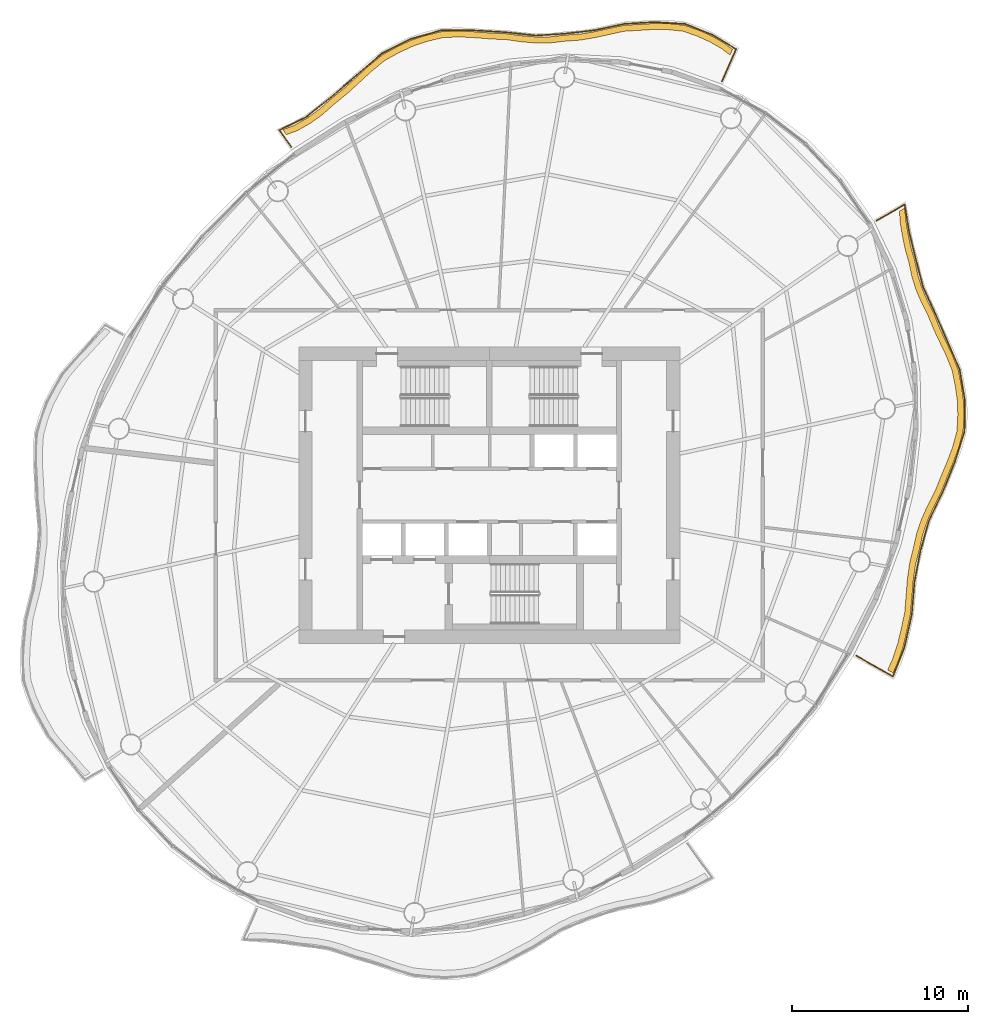
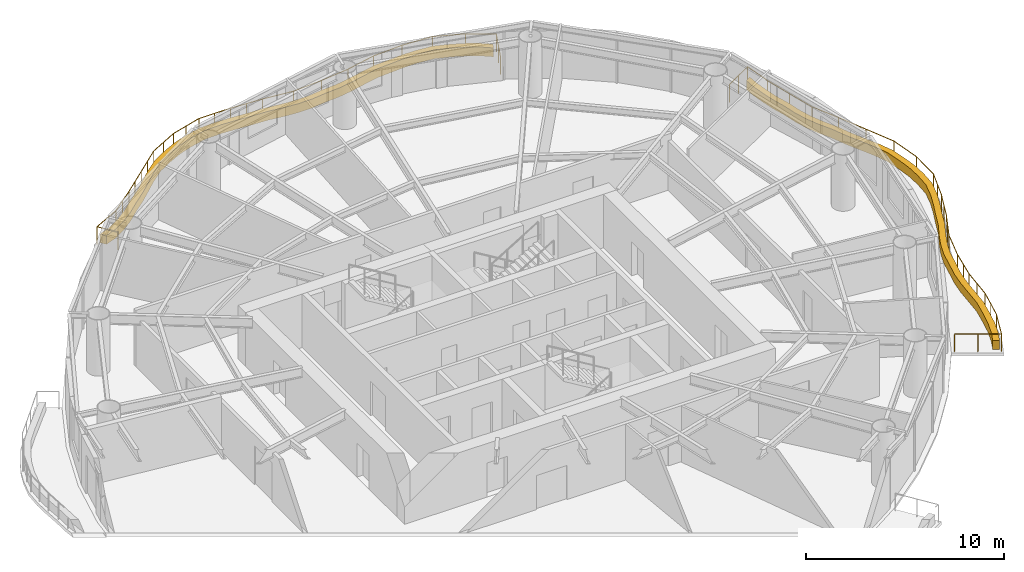
# One storey, part 14 of 14: 2 coverings, 2 railings.
"""IFC4 building model written with IfcOpenShell, lengths in metres."""

from ifc_helpers import new_model, si_unit, direction, frame, origin, origin_2d, place, context, subcontext, project, spatial, polyline, circle, outline, extrude, material, type_object, element, save


model = new_model("IFC4")

# Units and contexts
model_context = context("Model", 3, precision=1e-05, world=origin(), true_north=direction((0.0, 1.0)))
body_context = subcontext(model_context, "Body", "Model", "MODEL_VIEW")
ifc_project = project(units=[si_unit("LENGTHUNIT", "METRE"), si_unit("AREAUNIT", "SQUARE_METRE"), si_unit("VOLUMEUNIT", "CUBIC_METRE"), si_unit("PLANEANGLEUNIT", "RADIAN"), si_unit("MASSUNIT", "GRAM", prefix="KILO")], contexts=[model_context])

# Site, building, storey
site_placement = place(None, origin())
site = spatial("IfcSite", under=ifc_project, at=site_placement, CompositionType="ELEMENT")
building_placement = place(site_placement, origin())
building = spatial("IfcBuilding", under=site, at=building_placement, Name="Vermilion Reach Broadcast Tower", CompositionType="ELEMENT")
storey_placement = place(building_placement, frame((0.0, 0.0, 224.5)))
storey = spatial("IfcBuildingStorey", under=building, at=storey_placement, Name="L55", CompositionType="ELEMENT", Elevation=224.5)

# Coverings
ifc_material_1 = material(Name="Planting soil and greenery")
covering_type = type_object("IfcCoveringType", Name="Balcony PLANTER", PredefinedType="USERDEFINED", material=ifc_material_1)
placement = place(storey_placement, origin())
element("IfcCovering", 1, at=placement, inside=storey, type_object=covering_type, Name="PLANTER L55 group 1", ObjectType="PLANTER", PredefinedType="USERDEFINED", context=body_context, shape_type="SweptSolid", body=[
    extrude(outline(polyline([(7.79345703125, 25.2763671875), (7.2861328125, 25.6513671875), (6.62939453125, 26.025634765625), (5.95068359375, 26.338134765625), (5.076416015625, 26.64404296875), (4.13671875, 26.74560546875), (3.363037109375, 26.747802734375), (2.579833984375, 26.7001953125), (1.66552734375, 26.648681640625), (0.748291015625, 26.45751953125), (-0.0400390625, 26.2822265625), (-0.826171875, 26.153076171875), (-1.681884765625, 26.093505859375), (-2.548828125, 25.993408203125), (-3.350341796875, 25.98388671875), (-4.158447265625, 26.051025390625), (-5.064453125, 26.170654296875), (-6.0078125, 26.21044921875), (-6.862060546875, 26.2783203125), (-7.71142578125, 26.323486328125), (-8.68896484375, 26.2880859375), (-9.6494140625, 26.058349609375), (-10.445556640625, 25.790771484375), (-11.211181640625, 25.43603515625), (-12.071533203125, 24.962646484375), (-12.857666015625, 24.326171875), (-13.514892578125, 23.71875), (-14.17431640625, 23.115966796875), (-14.914794921875, 22.518310546875), (-15.630859375, 21.890625), (-16.33740234375, 21.37890625), (-17.097412109375, 20.951416015625), (-17.711669921875, 20.727294921875), (-17.508056640625, 20.442626953125), (-16.90966796875, 20.65625), (-16.149658203125, 21.083740234375), (-15.443115234375, 21.595458984375), (-14.743896484375, 22.212890625), (-14.02099609375, 22.80126953125), (-13.361572265625, 23.404052734375), (-12.704345703125, 24.011474609375), (-11.936767578125, 24.6396484375), (-11.095458984375, 25.105712890625), (-10.329833984375, 25.460205078125), (-9.533935546875, 25.72802734375), (-8.59375, 25.951416015625), (-7.63671875, 25.9814453125), (-6.787353515625, 25.936279296875), (-5.93310546875, 25.868408203125), (-5.01220703125, 25.82470703125), (-4.12841796875, 25.702392578125), (-3.3203125, 25.63525390625), (-2.5185546875, 25.644775390625), (-1.67529296875, 25.74365234375), (-0.84326171875, 25.8037109375), (-0.05712890625, 25.9326171875), (0.731201171875, 26.10791015625), (1.62353515625, 26.30126953125), (2.513427734375, 26.356689453125), (3.296630859375, 26.404296875), (4.070068359375, 26.40185546875), (4.984619140625, 26.306396484375), (5.833740234375, 26.00830078125), (6.512451171875, 25.695556640625), (7.169189453125, 25.3212890625), (7.6513671875, 24.956298828125), (7.79345703125, 25.2763671875)])), origin(), (0.0, 0.0, 1.0), 0.550048828125),
])
element("IfcCovering", 2, at=placement, inside=storey, type_object=covering_type, Name="PLANTER L55 group 4", ObjectType="PLANTER", PredefinedType="USERDEFINED", context=body_context, shape_type="SweptSolid", body=[
    extrude(outline(polyline([(16.8916015625, -10.07958984375), (17.18115234375, -9.43603515625), (17.459228515625, -8.601806640625), (17.667236328125, -7.732666015625), (17.8779296875, -6.74853515625), (17.962158203125, -5.75634765625), (18.031982421875, -4.869873046875), (18.154052734375, -4.00244140625), (18.37353515625, -3.10400390625), (18.5732421875, -2.22412109375), (18.848388671875, -1.42626953125), (19.201904296875, -0.646728515625), (19.634765625, 0.2099609375), (19.97998046875, 1.09130859375), (20.3115234375, 1.8798828125), (20.609375, 2.67236328125), (20.86376953125, 3.623046875), (20.91357421875, 4.576416015625), (20.8828125, 5.37548828125), (20.770263671875, 6.173095703125), (20.58544921875, 7.11572265625), (20.23388671875, 7.997802734375), (19.882568359375, 8.7314453125), (19.534912109375, 9.4658203125), (19.203369140625, 10.295166015625), (18.81591796875, 11.067138671875), (18.518798828125, 11.771240234375), (18.293701171875, 12.496826171875), (18.11669921875, 13.325439453125), (17.882080078125, 14.131591796875), (17.730224609375, 14.88330078125), (17.606201171875, 15.648681640625), (17.556396484375, 16.279541015625), (17.253173828125, 16.10498046875), (17.290283203125, 15.498046875), (17.414306640625, 14.732666015625), (17.566162109375, 13.980712890625), (17.79052734375, 13.19873046875), (17.958984375, 12.394775390625), (18.18408203125, 11.6689453125), (18.48095703125, 10.965087890625), (18.8623046875, 10.21728515625), (19.18896484375, 9.412109375), (19.53662109375, 8.677978515625), (19.88818359375, 7.944091796875), (20.23681640625, 7.085693359375), (20.42041015625, 6.16650390625), (20.532958984375, 5.369140625), (20.563720703125, 4.570068359375), (20.513916015625, 3.63916015625), (20.261474609375, 2.710693359375), (19.9638671875, 1.918212890625), (19.632080078125, 1.129638671875), (19.289794921875, 0.26953125), (18.861328125, -0.56640625), (18.5078125, -1.345703125), (18.232666015625, -2.1435546875), (18.038330078125, -3.003662109375), (17.8251953125, -3.8828125), (17.703125, -4.750244140625), (17.633056640625, -5.63671875), (17.55615234375, -6.610595703125), (17.35400390625, -7.576904296875), (17.145751953125, -8.44580078125), (16.867919921875, -9.280029296875), (16.58740234375, -9.90673828125), (16.8916015625, -10.07958984375)])), origin(), (0.0, 0.0, 1.0), 0.550048828125),
])

# Railings
ifc_material_2 = material(Name="Stainless steel 316 balustrade", Category="steel")
railing_type = type_object("IfcRailingType", Name="Balcony guard 1100", PredefinedType="BALUSTRADE", material=ifc_material_2)
railing_1_placement = place(storey_placement, frame((7.187255859375, 23.4677734375, 0.0)))
element("IfcRailing", 3, at=railing_1_placement, inside=storey, type_object=railing_type, Name="Balcony guard L55 group 1", PredefinedType="BALUSTRADE", context=body_context, shape_type="SweptSolid", body=[
    extrude(circle(Radius=0.02490234375, at=origin_2d()), frame((0.0, 0.0, 1.0751953125), z_axis=(0.405626896286, 0.914038741525, 0.0), x_axis=(-0.914038741525, 0.405626896286, 0.0)), (0.0, 0.0, 1.0), 1.992919921875),
    extrude(circle(Radius=0.02490234375, at=origin_2d()), frame((0.808349609375, 1.821533203125, 1.0751953125), z_axis=(-0.855298313888, 0.518135883973, 0.0), x_axis=(-0.518135883973, -0.855298313888, 0.0)), (0.0, 0.0, 1.0), 1.566162109375),
    extrude(circle(Radius=0.02490234375, at=origin_2d()), frame((-0.53125, 2.633056640625, 1.0751953125), z_axis=(-0.929107677927, 0.369809306017, 0.0), x_axis=(-0.369809306017, -0.929107677927, 0.0)), (0.0, 0.0, 1.0), 1.677490234375),
    extrude(circle(Radius=0.02490234375, at=origin_2d()), frame((-2.08984375, 3.25341796875, 1.0751953125), z_axis=(-0.998131739357, 0.061098534251, 0.0), x_axis=(-0.061098534251, -0.998131739357, 0.0)), (0.0, 0.0, 1.0), 1.72216796875),
    extrude(circle(Radius=0.02490234375, at=origin_2d()), frame((-3.808837890625, 3.358642578125, 1.0751953125), z_axis=(-0.998335983656, -0.057665099816, 0.0), x_axis=(0.057665099816, -0.998335983656, 0.0)), (0.0, 0.0, 1.0), 1.706298828125),
    extrude(circle(Radius=0.02490234375, at=origin_2d()), frame((-5.51220703125, 3.26025390625, 1.0751953125), z_axis=(-0.977886047216, -0.209138419857, 0.0), x_axis=(0.209138419857, -0.977886047216, 0.0)), (0.0, 0.0, 1.0), 1.75),
    extrude(circle(Radius=0.02490234375, at=origin_2d()), frame((-7.223388671875, 2.894287109375, 1.0751953125), z_axis=(-0.993517475684, -0.113679485879, 0.0), x_axis=(0.113679485879, -0.993517475684, 0.0)), (0.0, 0.0, 1.0), 1.657958984375),
    extrude(circle(Radius=0.02490234375, at=origin_2d()), frame((-8.87060546875, 2.705810546875, 1.0751953125), z_axis=(-0.997852896663, -0.065495012179, 0.0), x_axis=(0.065495012179, -0.997852896663, 0.0)), (0.0, 0.0, 1.0), 1.677490234375),
    extrude(circle(Radius=0.02490234375, at=origin_2d()), frame((-10.54443359375, 2.595947265625, 1.0751953125), z_axis=(-0.99419807502, 0.10756480664, 0.0), x_axis=(-0.10756480664, -0.99419807502, 0.0)), (0.0, 0.0, 1.0), 1.7294921875),
    extrude(circle(Radius=0.02490234375, at=origin_2d()), frame((-12.263916015625, 2.781982421875, 1.0751953125), z_axis=(-0.998252859545, 0.059086617855, 0.0), x_axis=(-0.059086617855, -0.998252859545, 0.0)), (0.0, 0.0, 1.0), 1.8056640625),
    extrude(circle(Radius=0.02490234375, at=origin_2d()), frame((-14.06640625, 2.888671875, 1.0751953125), z_axis=(-0.999989119995, 0.004664749993, 0.0), x_axis=(-0.004664749993, -0.999989119995, 0.0)), (0.0, 0.0, 1.0), 1.831787109375),
    extrude(circle(Radius=0.02490234375, at=origin_2d()), frame((-15.898193359375, 2.897216796875, 1.0751953125), z_axis=(-0.962150629444, -0.272518194365, 0.0), x_axis=(0.272518194365, -0.962150629444, 0.0)), (0.0, 0.0, 1.0), 1.830322265625),
    extrude(circle(Radius=0.02490234375, at=origin_2d()), frame((-17.6591796875, 2.3984375, 1.0751953125), z_axis=(-0.891255318361, -0.453501882568, 0.0), x_axis=(0.453501882568, -0.891255318361, 0.0)), (0.0, 0.0, 1.0), 1.829345703125),
    extrude(circle(Radius=0.02490234375, at=origin_2d()), frame((-19.28955078125, 1.56884765625, 1.0751953125), z_axis=(-0.757919754319, -0.652347795285, 0.0), x_axis=(0.652347795285, -0.757919754319, 0.0)), (0.0, 0.0, 1.0), 1.91015625),
    extrude(circle(Radius=0.02490234375, at=origin_2d()), frame((-20.7373046875, 0.32275390625, 1.0751953125), z_axis=(-0.759489645117, -0.650519391687, 0.0), x_axis=(0.650519391687, -0.759489645117, 0.0)), (0.0, 0.0, 1.0), 1.848388671875),
    extrude(circle(Radius=0.02490234375, at=origin_2d()), frame((-22.14111328125, -0.879638671875, 1.0751953125), z_axis=(-0.780764506729, -0.624825403639, 0.0), x_axis=(0.624825403639, -0.780764506729, 0.0)), (0.0, 0.0, 1.0), 1.8271484375),
    extrude(circle(Radius=0.02490234375, at=origin_2d()), frame((-23.567626953125, -2.021240234375, 1.0751953125), z_axis=(-0.897726337717, -0.440553541092, 0.0), x_axis=(0.440553541092, -0.897726337717, 0.0)), (0.0, 0.0, 1.0), 1.7041015625),
    extrude(circle(Radius=0.02490234375, at=origin_2d()), frame((-25.097412109375, -2.77197265625, 1.0751953125), z_axis=(0.58204759063, -0.813154722204, 0.0), x_axis=(0.813154722204, 0.58204759063, 0.0)), (0.0, 0.0, 1.0), 1.16943359375),
    extrude(circle(Radius=0.02490234375, at=origin_2d()), origin(), (0.0, 0.0, 1.0), 1.050048828125),
    extrude(circle(Radius=0.02490234375, at=origin_2d()), frame((0.404296875, 0.91064453125, 0.0)), (0.0, 0.0, 1.0), 1.050048828125),
    extrude(circle(Radius=0.02490234375, at=origin_2d()), frame((0.808349609375, 1.821533203125, 0.0)), (0.0, 0.0, 1.0), 1.050048828125),
    extrude(circle(Radius=0.02490234375, at=origin_2d()), frame((-0.53125, 2.633056640625, 0.0)), (0.0, 0.0, 1.0), 1.050048828125),
    extrude(circle(Radius=0.02490234375, at=origin_2d()), frame((-2.08984375, 3.25341796875, 0.0)), (0.0, 0.0, 1.0), 1.050048828125),
    extrude(circle(Radius=0.02490234375, at=origin_2d()), frame((-3.808837890625, 3.358642578125, 0.0)), (0.0, 0.0, 1.0), 1.050048828125),
    extrude(circle(Radius=0.02490234375, at=origin_2d()), frame((-5.51220703125, 3.26025390625, 0.0)), (0.0, 0.0, 1.0), 1.050048828125),
    extrude(circle(Radius=0.02490234375, at=origin_2d()), frame((-7.223388671875, 2.894287109375, 0.0)), (0.0, 0.0, 1.0), 1.050048828125),
    extrude(circle(Radius=0.02490234375, at=origin_2d()), frame((-8.87060546875, 2.705810546875, 0.0)), (0.0, 0.0, 1.0), 1.050048828125),
    extrude(circle(Radius=0.02490234375, at=origin_2d()), frame((-10.54443359375, 2.595947265625, 0.0)), (0.0, 0.0, 1.0), 1.050048828125),
    extrude(circle(Radius=0.02490234375, at=origin_2d()), frame((-12.263916015625, 2.781982421875, 0.0)), (0.0, 0.0, 1.0), 1.050048828125),
    extrude(circle(Radius=0.02490234375, at=origin_2d()), frame((-13.1650390625, 2.83544921875, 0.0)), (0.0, 0.0, 1.0), 1.050048828125),
    extrude(circle(Radius=0.02490234375, at=origin_2d()), frame((-14.06640625, 2.888671875, 0.0)), (0.0, 0.0, 1.0), 1.050048828125),
    extrude(circle(Radius=0.02490234375, at=origin_2d()), frame((-14.982421875, 2.89306640625, 0.0)), (0.0, 0.0, 1.0), 1.050048828125),
    extrude(circle(Radius=0.02490234375, at=origin_2d()), frame((-15.898193359375, 2.897216796875, 0.0)), (0.0, 0.0, 1.0), 1.050048828125),
    extrude(circle(Radius=0.02490234375, at=origin_2d()), frame((-16.77880859375, 2.64794921875, 0.0)), (0.0, 0.0, 1.0), 1.050048828125),
    extrude(circle(Radius=0.02490234375, at=origin_2d()), frame((-17.6591796875, 2.3984375, 0.0)), (0.0, 0.0, 1.0), 1.050048828125),
    extrude(circle(Radius=0.02490234375, at=origin_2d()), frame((-18.474365234375, 1.983642578125, 0.0)), (0.0, 0.0, 1.0), 1.050048828125),
    extrude(circle(Radius=0.02490234375, at=origin_2d()), frame((-19.28955078125, 1.56884765625, 0.0)), (0.0, 0.0, 1.0), 1.050048828125),
    extrude(circle(Radius=0.02490234375, at=origin_2d()), frame((-20.013427734375, 0.94580078125, 0.0)), (0.0, 0.0, 1.0), 1.050048828125),
    extrude(circle(Radius=0.02490234375, at=origin_2d()), frame((-20.7373046875, 0.32275390625, 0.0)), (0.0, 0.0, 1.0), 1.050048828125),
    extrude(circle(Radius=0.02490234375, at=origin_2d()), frame((-21.439208984375, -0.2783203125, 0.0)), (0.0, 0.0, 1.0), 1.050048828125),
    extrude(circle(Radius=0.02490234375, at=origin_2d()), frame((-22.14111328125, -0.879638671875, 0.0)), (0.0, 0.0, 1.0), 1.050048828125),
    extrude(circle(Radius=0.02490234375, at=origin_2d()), frame((-22.8544921875, -1.450439453125, 0.0)), (0.0, 0.0, 1.0), 1.050048828125),
    extrude(circle(Radius=0.02490234375, at=origin_2d()), frame((-23.567626953125, -2.021240234375, 0.0)), (0.0, 0.0, 1.0), 1.050048828125),
    extrude(circle(Radius=0.02490234375, at=origin_2d()), frame((-25.097412109375, -2.77197265625, 0.0)), (0.0, 0.0, 1.0), 1.050048828125),
    extrude(circle(Radius=0.02490234375, at=origin_2d()), frame((-24.416748046875, -3.722900390625, 0.0)), (0.0, 0.0, 1.0), 1.050048828125),
])
railing_2_placement = place(storey_placement, frame((14.810302734375, -9.10400390625, 0.0)))
element("IfcRailing", 4, at=railing_2_placement, inside=storey, type_object=railing_type, Name="Balcony guard L55 group 4", PredefinedType="BALUSTRADE", context=body_context, shape_type="SweptSolid", body=[
    extrude(circle(Radius=0.02490234375, at=origin_2d()), frame((0.0, 0.0, 1.0751953125), z_axis=(0.869514592678, -0.493907251536, 0.0), x_axis=(0.493907251536, 0.869514592678, 0.0)), (0.0, 0.0, 1.0), 2.381591796875),
    extrude(circle(Radius=0.02490234375, at=origin_2d()), frame((2.07080078125, -1.17626953125, 1.0751953125), z_axis=(0.367742271502, 0.929927750823, 0.0), x_axis=(-0.929927750823, 0.367742271502, 0.0)), (0.0, 0.0, 1.0), 1.7666015625),
    extrude(circle(Radius=0.02490234375, at=origin_2d()), frame((2.720458984375, 0.466552734375, 1.0751953125), z_axis=(0.220878570899, 0.975301315962, 0.0), x_axis=(-0.975301315962, 0.220878570899, 0.0)), (0.0, 0.0, 1.0), 1.904541015625),
    extrude(circle(Radius=0.02490234375, at=origin_2d()), frame((3.14111328125, 2.323974609375, 1.0751953125), z_axis=(0.082446566439, 0.996595486485, 0.0), x_axis=(-0.996595486485, 0.082446566439, 0.0)), (0.0, 0.0, 1.0), 1.88916015625),
    extrude(circle(Radius=0.02490234375, at=origin_2d()), frame((3.296875, 4.206787109375, 1.0751953125), z_axis=(0.190228184286, 0.981739903387, 0.0), x_axis=(-0.981739903387, 0.190228184286, 0.0)), (0.0, 0.0, 1.0), 1.80322265625),
    extrude(circle(Radius=0.02490234375, at=origin_2d()), frame((3.639892578125, 5.97705078125, 1.0751953125), z_axis=(0.272285877317, 0.962216400304, 0.0), x_axis=(-0.962216400304, 0.272285877317, 0.0)), (0.0, 0.0, 1.0), 1.74853515625),
    extrude(circle(Radius=0.02490234375, at=origin_2d()), frame((4.115966796875, 7.659423828125, 1.0751953125), z_axis=(0.432561002335, 0.901604669053, 0.0), x_axis=(-0.901604669053, 0.432561002335, 0.0)), (0.0, 0.0, 1.0), 1.8203125),
    extrude(circle(Radius=0.02490234375, at=origin_2d()), frame((4.9033203125, 9.300537109375, 1.0751953125), z_axis=(0.375046212431, 0.927006115698, 0.0), x_axis=(-0.927006115698, 0.375046212431, 0.0)), (0.0, 0.0, 1.0), 1.806396484375),
    extrude(circle(Radius=0.02490234375, at=origin_2d()), frame((5.580810546875, 10.97509765625, 1.0751953125), z_axis=(0.301328913297, 0.953520259885, 0.0), x_axis=(-0.953520259885, 0.301328913297, 0.0)), (0.0, 0.0, 1.0), 1.83349609375),
    extrude(circle(Radius=0.02490234375, at=origin_2d()), frame((6.13330078125, 12.723388671875, 1.0751953125), z_axis=(0.010973085667, 0.999939793883, 0.0), x_axis=(-0.999939793883, 0.010973085667, 0.0)), (0.0, 0.0, 1.0), 1.757568359375),
    extrude(circle(Radius=0.02490234375, at=origin_2d()), frame((6.152587890625, 14.48095703125, 1.0751953125), z_axis=(-0.168198440605, 0.985753156007, 0.0), x_axis=(-0.985753156007, -0.168198440605, 0.0)), (0.0, 0.0, 1.0), 1.770751953125),
    extrude(circle(Radius=0.02490234375, at=origin_2d()), frame((5.854736328125, 16.2265625, 1.0751953125), z_axis=(-0.398033888781, 0.91737071208, 0.0), x_axis=(-0.91737071208, -0.398033888781, 0.0)), (0.0, 0.0, 1.0), 1.76708984375),
    extrude(circle(Radius=0.02490234375, at=origin_2d()), frame((5.1513671875, 17.84765625, 1.0751953125), z_axis=(-0.397671529121, 0.917527849674, 0.0), x_axis=(-0.917527849674, -0.397671529121, 0.0)), (0.0, 0.0, 1.0), 1.71044921875),
    extrude(circle(Radius=0.02490234375, at=origin_2d()), frame((4.47119140625, 19.4169921875, 1.0751953125), z_axis=(-0.42021478657, 0.907424670784, 0.0), x_axis=(-0.907424670784, -0.42021478657, 0.0)), (0.0, 0.0, 1.0), 1.632568359375),
    extrude(circle(Radius=0.02490234375, at=origin_2d()), frame((3.78515625, 20.8984375, 1.0751953125), z_axis=(-0.250867524982, 0.968021427919, 0.0), x_axis=(-0.968021427919, -0.250867524982, 0.0)), (0.0, 0.0, 1.0), 1.611572265625),
    extrude(circle(Radius=0.02490234375, at=origin_2d()), frame((3.380859375, 22.45849609375, 1.0751953125), z_axis=(-0.241429994392, 0.9704182386, 0.0), x_axis=(-0.9704182386, -0.241429994392, 0.0)), (0.0, 0.0, 1.0), 1.61083984375),
    extrude(circle(Radius=0.02490234375, at=origin_2d()), frame((2.991943359375, 24.021728515625, 1.0751953125), z_axis=(-0.160225329071, 0.987080464767, 0.0), x_axis=(-0.987080464767, -0.160225329071, 0.0)), (0.0, 0.0, 1.0), 1.584716796875),
    extrude(circle(Radius=0.02490234375, at=origin_2d()), frame((2.738037109375, 25.5859375, 1.0751953125), z_axis=(-0.866688811082, -0.49884918036, 0.0), x_axis=(0.49884918036, -0.866688811082, 0.0)), (0.0, 0.0, 1.0), 1.831787109375),
    extrude(circle(Radius=0.02490234375, at=origin_2d()), origin(), (0.0, 0.0, 1.0), 1.050048828125),
    extrude(circle(Radius=0.02490234375, at=origin_2d()), frame((1.035400390625, -0.588134765625, 0.0)), (0.0, 0.0, 1.0), 1.050048828125),
    extrude(circle(Radius=0.02490234375, at=origin_2d()), frame((2.07080078125, -1.17626953125, 0.0)), (0.0, 0.0, 1.0), 1.050048828125),
    extrude(circle(Radius=0.02490234375, at=origin_2d()), frame((2.720458984375, 0.466552734375, 0.0)), (0.0, 0.0, 1.0), 1.050048828125),
    extrude(circle(Radius=0.02490234375, at=origin_2d()), frame((2.9306640625, 1.395263671875, 0.0)), (0.0, 0.0, 1.0), 1.050048828125),
    extrude(circle(Radius=0.02490234375, at=origin_2d()), frame((3.14111328125, 2.323974609375, 0.0)), (0.0, 0.0, 1.0), 1.050048828125),
    extrude(circle(Radius=0.02490234375, at=origin_2d()), frame((3.218994140625, 3.265380859375, 0.0)), (0.0, 0.0, 1.0), 1.050048828125),
    extrude(circle(Radius=0.02490234375, at=origin_2d()), frame((3.296875, 4.206787109375, 0.0)), (0.0, 0.0, 1.0), 1.050048828125),
    extrude(circle(Radius=0.02490234375, at=origin_2d()), frame((3.46826171875, 5.091796875, 0.0)), (0.0, 0.0, 1.0), 1.050048828125),
    extrude(circle(Radius=0.02490234375, at=origin_2d()), frame((3.639892578125, 5.97705078125, 0.0)), (0.0, 0.0, 1.0), 1.050048828125),
    extrude(circle(Radius=0.02490234375, at=origin_2d()), frame((4.115966796875, 7.659423828125, 0.0)), (0.0, 0.0, 1.0), 1.050048828125),
    extrude(circle(Radius=0.02490234375, at=origin_2d()), frame((4.509765625, 8.47998046875, 0.0)), (0.0, 0.0, 1.0), 1.050048828125),
    extrude(circle(Radius=0.02490234375, at=origin_2d()), frame((4.9033203125, 9.300537109375, 0.0)), (0.0, 0.0, 1.0), 1.050048828125),
    extrude(circle(Radius=0.02490234375, at=origin_2d()), frame((5.2421875, 10.1376953125, 0.0)), (0.0, 0.0, 1.0), 1.050048828125),
    extrude(circle(Radius=0.02490234375, at=origin_2d()), frame((5.580810546875, 10.97509765625, 0.0)), (0.0, 0.0, 1.0), 1.050048828125),
    extrude(circle(Radius=0.02490234375, at=origin_2d()), frame((5.85693359375, 11.84912109375, 0.0)), (0.0, 0.0, 1.0), 1.050048828125),
    extrude(circle(Radius=0.02490234375, at=origin_2d()), frame((6.13330078125, 12.723388671875, 0.0)), (0.0, 0.0, 1.0), 1.050048828125),
    extrude(circle(Radius=0.02490234375, at=origin_2d()), frame((6.152587890625, 14.48095703125, 0.0)), (0.0, 0.0, 1.0), 1.050048828125),
    extrude(circle(Radius=0.02490234375, at=origin_2d()), frame((5.854736328125, 16.2265625, 0.0)), (0.0, 0.0, 1.0), 1.050048828125),
    extrude(circle(Radius=0.02490234375, at=origin_2d()), frame((5.1513671875, 17.84765625, 0.0)), (0.0, 0.0, 1.0), 1.050048828125),
    extrude(circle(Radius=0.02490234375, at=origin_2d()), frame((4.47119140625, 19.4169921875, 0.0)), (0.0, 0.0, 1.0), 1.050048828125),
    extrude(circle(Radius=0.02490234375, at=origin_2d()), frame((3.78515625, 20.8984375, 0.0)), (0.0, 0.0, 1.0), 1.050048828125),
    extrude(circle(Radius=0.02490234375, at=origin_2d()), frame((3.380859375, 22.45849609375, 0.0)), (0.0, 0.0, 1.0), 1.050048828125),
    extrude(circle(Radius=0.02490234375, at=origin_2d()), frame((2.991943359375, 24.021728515625, 0.0)), (0.0, 0.0, 1.0), 1.050048828125),
    extrude(circle(Radius=0.02490234375, at=origin_2d()), frame((2.738037109375, 25.5859375, 0.0)), (0.0, 0.0, 1.0), 1.050048828125),
    extrude(circle(Radius=0.02490234375, at=origin_2d()), frame((1.9443359375, 25.12890625, 0.0)), (0.0, 0.0, 1.0), 1.050048828125),
    extrude(circle(Radius=0.02490234375, at=origin_2d()), frame((1.150390625, 24.672119140625, 0.0)), (0.0, 0.0, 1.0), 1.050048828125),
])

save(model, "model.ifc")
